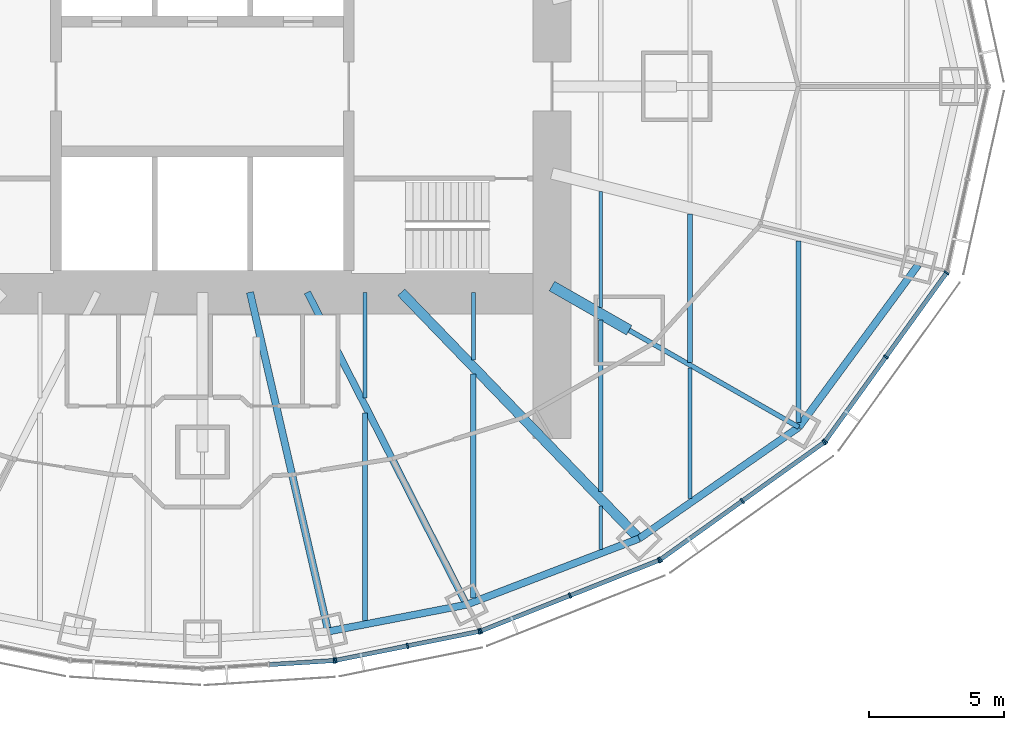
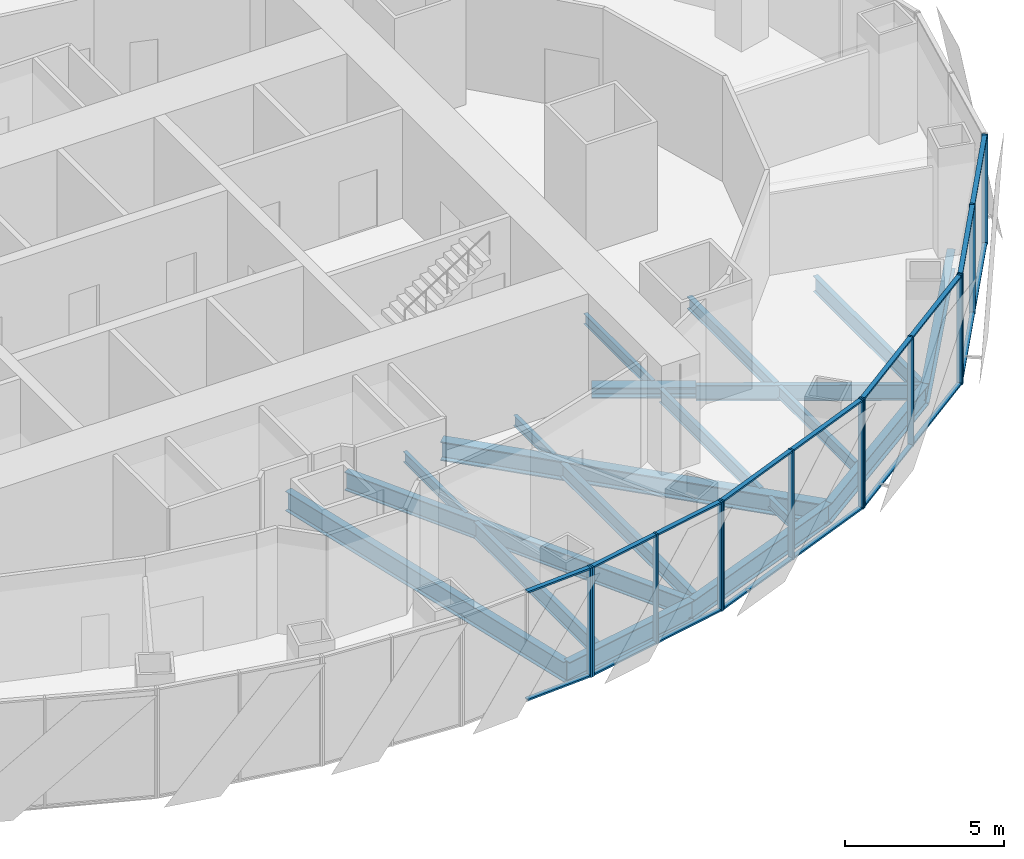
# One storey, part 5 of 18: 31 members, 19 beams, 5 elements without a shape of their own.
"""IFC4 building model written with IfcOpenShell, lengths in metres."""

from ifc_helpers import new_model, si_unit, direction, frame, origin, origin_2d, place, context, subcontext, project, spatial, rectangle, i_section, extrude, material, material_profile, profile_set, type_object, element, aggregate, save


model = new_model("IFC4")

# Units and contexts
model_context = context("Model", 3, precision=1e-05, world=origin(), true_north=direction((0.0, 1.0)))
body_context = subcontext(model_context, "Body", "Model", "MODEL_VIEW")
ifc_project = project(units=[si_unit("LENGTHUNIT", "METRE"), si_unit("AREAUNIT", "SQUARE_METRE"), si_unit("VOLUMEUNIT", "CUBIC_METRE"), si_unit("PLANEANGLEUNIT", "RADIAN"), si_unit("MASSUNIT", "GRAM", prefix="KILO")], contexts=[model_context])

# Site, building, storey
site_placement = place(None, origin())
site = spatial("IfcSite", under=ifc_project, at=site_placement, CompositionType="ELEMENT")
building_placement = place(site_placement, origin())
building = spatial("IfcBuilding", under=site, at=building_placement, Name="Lantaw Convention Tower", CompositionType="ELEMENT")
storey_placement = place(building_placement, frame((0.0, 0.0, 176.199951171875)))
storey = spatial("IfcBuildingStorey", under=building, at=storey_placement, Name="L41", CompositionType="ELEMENT", Elevation=176.199951171875)

# Beams
ifc_material_1 = material(Name="Steel ASTM A992", Category="steel")
ifc_material_profile_1 = material_profile(ifc_material_1, i_section(OverallWidth=0.2666015625, OverallDepth=0.76953125, WebThickness=0.015625, FlangeThickness=0.025390625, FilletRadius=0.0126953125, at=origin_2d()), Name="W30X132")
ifc_profile_set_1 = profile_set([ifc_material_profile_1], Name="Steel ASTM A992")
beam_type_1 = type_object("IfcBeamType", Name="Beam E W30X132", PredefinedType="SPANDREL", material=ifc_profile_set_1)
beam_1_placement = place(storey_placement, frame((4.64501953125, -20.1201171875, -0.53466796875), z_axis=(0.981796805654, 0.189934284446, 0.0), x_axis=(-0.189934284446, 0.981796805654, 0.0)))
element("IfcBeam", 1, at=beam_1_placement, inside=storey, type_object=beam_type_1, Name="Edge beam 20", PredefinedType="SPANDREL", context=body_context, shape_type="SweptSolid", body=[
    extrude(i_section(OverallWidth=0.2666015625, OverallDepth=0.76953125, WebThickness=0.015625, FlangeThickness=0.025390625, FilletRadius=0.0126953125, at=origin_2d()), origin(), (0.0, 0.0, 1.0), 5.1982421875),
])
beam_2_placement = place(storey_placement, frame((9.74853515625, -19.1328125, -0.53466796875), z_axis=(0.933691081977, 0.358079549033, 0.0), x_axis=(-0.358079549033, 0.933691081977, 0.0)))
element("IfcBeam", 2, at=beam_2_placement, inside=storey, type_object=beam_type_1, Name="Edge beam 21", PredefinedType="SPANDREL", context=body_context, shape_type="SweptSolid", body=[
    extrude(i_section(OverallWidth=0.2666015625, OverallDepth=0.76953125, WebThickness=0.015625, FlangeThickness=0.025390625, FilletRadius=0.0126953125, at=origin_2d()), origin(), (0.0, 0.0, 1.0), 6.821533203125),
])
beam_3_placement = place(storey_placement, frame((16.11767578125, -16.690185546875, -0.53466796875), z_axis=(0.820310765287, 0.57191804339, 0.0), x_axis=(-0.57191804339, 0.820310765287, 0.0)))
element("IfcBeam", 3, at=beam_3_placement, inside=storey, type_object=beam_type_1, Name="Edge beam 22", PredefinedType="SPANDREL", context=body_context, shape_type="SweptSolid", body=[
    extrude(i_section(OverallWidth=0.2666015625, OverallDepth=0.76953125, WebThickness=0.015625, FlangeThickness=0.025390625, FilletRadius=0.0126953125, at=origin_2d()), origin(), (0.0, 0.0, 1.0), 7.187744140625),
])
beam_4_placement = place(storey_placement, frame((22.013916015625, -12.579345703125, -0.53466796875), z_axis=(0.5923891972, 0.805651934176, 0.0), x_axis=(-0.805651934176, 0.5923891972, 0.0)))
element("IfcBeam", 4, at=beam_4_placement, inside=storey, type_object=beam_type_1, Name="Edge beam 23", PredefinedType="SPANDREL", context=body_context, shape_type="SweptSolid", body=[
    extrude(i_section(OverallWidth=0.2666015625, OverallDepth=0.76953125, WebThickness=0.015625, FlangeThickness=0.025390625, FilletRadius=0.0126953125, at=origin_2d()), origin(), (0.0, 0.0, 1.0), 7.437744140625),
])
ifc_material_profile_2 = material_profile(ifc_material_1, i_section(OverallWidth=0.177978515625, OverallDepth=0.599365234375, WebThickness=0.010009765625, FlangeThickness=0.012939453125, FilletRadius=0.012939453125, at=origin_2d()), Name="W24X55")
ifc_profile_set_2 = profile_set([ifc_material_profile_2], Name="Steel ASTM A992")
beam_type_2 = type_object("IfcBeamType", Name="Beam G W24X55", PredefinedType="BEAM", material=ifc_profile_set_2)
beam_5_placement = place(storey_placement, frame((15.75, -9.0, -0.44970703125), z_axis=(0.868245224608, -0.496135293993, 0.0), x_axis=(0.496135293993, 0.868245224608, 0.0)))
element("IfcBeam", 5, at=beam_5_placement, inside=storey, type_object=beam_type_2, Name="Floor girder on ray 23", PredefinedType="BEAM", context=body_context, shape_type="SweptSolid", body=[
    extrude(i_section(OverallWidth=0.177978515625, OverallDepth=0.599365234375, WebThickness=0.010009765625, FlangeThickness=0.012939453125, FilletRadius=0.012939453125, at=origin_2d()), origin(), (0.0, 0.0, 1.0), 7.21435546875),
])
ifc_material_profile_3 = material_profile(ifc_material_1, i_section(OverallWidth=0.25390625, OverallDepth=0.700927734375, WebThickness=0.015380859375, FlangeThickness=0.02783203125, FilletRadius=0.01513671875, at=origin_2d()), Name="W27X129")
ifc_profile_set_3 = profile_set([ifc_material_profile_3], Name="Steel ASTM A992")
beam_type_3 = type_object("IfcBeamType", Name="Beam G W27X129", PredefinedType="BEAM", material=ifc_profile_set_3)
beam_6_placement = place(storey_placement, frame((3.872314453125, -7.60009765625, -0.50048828125), z_axis=(0.453991051051, -0.891006243281, 0.0), x_axis=(0.891006243281, 0.453991051051, 0.0)))
element("IfcBeam", 6, at=beam_6_placement, inside=storey, type_object=beam_type_3, Name="Floor girder on ray 21", PredefinedType="BEAM", context=body_context, shape_type="SweptSolid", body=[
    extrude(i_section(OverallWidth=0.25390625, OverallDepth=0.700927734375, WebThickness=0.015380859375, FlangeThickness=0.02783203125, FilletRadius=0.01513671875, at=origin_2d()), origin(), (0.0, 0.0, 1.0), 12.943359375),
])
ifc_material_profile_4 = material_profile(ifc_material_1, i_section(OverallWidth=0.360595703125, OverallDepth=0.72900390625, WebThickness=0.023193359375, FlangeThickness=0.041015625, FilletRadius=0.0126953125, at=origin_2d()), Name="W27X235")
ifc_profile_set_4 = profile_set([ifc_material_profile_4], Name="Steel ASTM A992")
beam_type_4 = type_object("IfcBeamType", Name="Beam G W27X235", PredefinedType="BEAM", material=ifc_profile_set_4)
beam_7_placement = place(storey_placement, frame((7.33935546875, -7.60009765625, -0.514404296875), z_axis=(0.694663467407, -0.719334878239, 0.0), x_axis=(0.719334878239, 0.694663467407, 0.0)))
element("IfcBeam", 7, at=beam_7_placement, inside=storey, type_object=beam_type_4, Name="Floor girder on ray 22", PredefinedType="BEAM", context=body_context, shape_type="SweptSolid", body=[
    extrude(i_section(OverallWidth=0.360595703125, OverallDepth=0.72900390625, WebThickness=0.023193359375, FlangeThickness=0.041015625, FilletRadius=0.0126953125, at=origin_2d()), origin(), (0.0, 0.0, 1.0), 12.63671875),
])
ifc_material_profile_5 = material_profile(ifc_material_1, i_section(OverallWidth=0.2666015625, OverallDepth=0.7568359375, WebThickness=0.013916015625, FlangeThickness=0.019287109375, FilletRadius=0.0126953125, at=origin_2d()), Name="W30X108")
ifc_profile_set_5 = profile_set([ifc_material_profile_5], Name="Steel ASTM A992")
beam_type_5 = type_object("IfcBeamType", Name="Beam G W30X108", PredefinedType="BEAM", material=ifc_profile_set_5)
beam_8_placement = place(storey_placement, frame((1.754638671875, -7.60009765625, -0.5283203125), z_axis=(0.224944153104, -0.974371658036, 0.0), x_axis=(0.974371658036, 0.224944153104, 0.0)))
element("IfcBeam", 8, at=beam_8_placement, inside=storey, type_object=beam_type_5, Name="Floor girder on ray 20", PredefinedType="BEAM", context=body_context, shape_type="SweptSolid", body=[
    extrude(i_section(OverallWidth=0.2666015625, OverallDepth=0.7568359375, WebThickness=0.013916015625, FlangeThickness=0.019287109375, FilletRadius=0.0126953125, at=origin_2d()), origin(), (0.0, 0.0, 1.0), 12.849365234375),
])
ifc_material_profile_6 = material_profile(ifc_material_1, i_section(OverallWidth=0.40380859375, OverallDepth=0.406494140625, WebThickness=0.027099609375, FlangeThickness=0.043701171875, FilletRadius=0.01513671875, at=origin_2d()), Name="W14X233")
ifc_profile_set_6 = profile_set([ifc_material_profile_6], Name="Steel ASTM A992")
beam_type_6 = type_object("IfcBeamType", Name="Beam GM W14X233", PredefinedType="BEAM", material=ifc_profile_set_6)
beam_9_placement = place(storey_placement, frame((12.89990234375, -7.371337890625, -0.353271484375), z_axis=(0.868238565244, -0.496146947811, 0.0), x_axis=(0.496146947811, 0.868238565244, 0.0)))
element("IfcBeam", 9, at=beam_9_placement, inside=storey, type_object=beam_type_6, Name="Core link beam on ray 23", PredefinedType="BEAM", context=body_context, shape_type="SweptSolid", body=[
    extrude(i_section(OverallWidth=0.40380859375, OverallDepth=0.406494140625, WebThickness=0.027099609375, FlangeThickness=0.043701171875, FilletRadius=0.01513671875, at=origin_2d()), origin(), (0.0, 0.0, 1.0), 3.28271484375),
])
ifc_material_profile_7 = material_profile(ifc_material_1, i_section(OverallWidth=0.140380859375, OverallDepth=0.40380859375, WebThickness=0.007080078125, FlangeThickness=0.01123046875, FilletRadius=0.01025390625, at=origin_2d()), Name="W16X31")
ifc_profile_set_7 = profile_set([ifc_material_profile_7], Name="Steel ASTM A992")
beam_type_7 = type_object("IfcBeamType", Name="Beam J W16X31", PredefinedType="JOIST", material=ifc_profile_set_7)
beam_10_placement = place(storey_placement, frame((6.0, -11.495849609375, -0.351806640625), z_axis=(0.0, 1.0, 0.0), x_axis=(-1.0, 0.0, 0.0)))
element("IfcBeam", 10, at=beam_10_placement, inside=storey, type_object=beam_type_7, Name="Floor joist", PredefinedType="JOIST", context=body_context, shape_type="SweptSolid", body=[
    extrude(i_section(OverallWidth=0.140380859375, OverallDepth=0.40380859375, WebThickness=0.007080078125, FlangeThickness=0.01123046875, FilletRadius=0.01025390625, at=origin_2d()), origin(), (0.0, 0.0, 1.0), 3.895751953125),
])
beam_11_placement = place(storey_placement, frame((10.0, -10.095703125, -0.351806640625), z_axis=(0.0, 1.0, 0.0), x_axis=(-1.0, 0.0, 0.0)))
element("IfcBeam", 11, at=beam_11_placement, inside=storey, type_object=beam_type_7, Name="Floor joist", PredefinedType="JOIST", context=body_context, shape_type="SweptSolid", body=[
    extrude(i_section(OverallWidth=0.140380859375, OverallDepth=0.40380859375, WebThickness=0.007080078125, FlangeThickness=0.01123046875, FilletRadius=0.01025390625, at=origin_2d()), origin(), (0.0, 0.0, 1.0), 2.49560546875),
])
beam_12_placement = place(storey_placement, frame((14.699951171875, -17.091064453125, -0.351806640625), z_axis=(0.0, 1.0, 0.0), x_axis=(-1.0, 0.0, 0.0)))
element("IfcBeam", 12, at=beam_12_placement, inside=storey, type_object=beam_type_7, Name="Floor joist", PredefinedType="JOIST", context=body_context, shape_type="SweptSolid", body=[
    extrude(i_section(OverallWidth=0.140380859375, OverallDepth=0.40380859375, WebThickness=0.007080078125, FlangeThickness=0.01123046875, FilletRadius=0.01025390625, at=origin_2d()), origin(), (0.0, 0.0, 1.0), 1.609130859375),
])
beam_13_placement = place(storey_placement, frame((14.699951171875, -8.16748046875, -0.351806640625), z_axis=(0.0, 1.0, 0.0), x_axis=(-1.0, 0.0, 0.0)))
element("IfcBeam", 13, at=beam_13_placement, inside=storey, type_object=beam_type_7, Name="Floor joist", PredefinedType="JOIST", context=body_context, shape_type="SweptSolid", body=[
    extrude(i_section(OverallWidth=0.140380859375, OverallDepth=0.40380859375, WebThickness=0.007080078125, FlangeThickness=0.01123046875, FilletRadius=0.01025390625, at=origin_2d()), origin(), (0.0, 0.0, 1.0), 4.28515625),
])
ifc_material_profile_8 = material_profile(ifc_material_1, i_section(OverallWidth=0.15234375, OverallDepth=0.449462890625, WebThickness=0.007568359375, FlangeThickness=0.0107421875, FilletRadius=0.01025390625, at=origin_2d()), Name="W18X35")
ifc_profile_set_8 = profile_set([ifc_material_profile_8], Name="Steel ASTM A992")
beam_type_8 = type_object("IfcBeamType", Name="Beam J W18X35", PredefinedType="JOIST", material=ifc_profile_set_8)
beam_14_placement = place(storey_placement, frame((18.0, -15.21533203125, -0.374755859375), z_axis=(0.0, 1.0, 0.0), x_axis=(-1.0, 0.0, 0.0)))
element("IfcBeam", 14, at=beam_14_placement, inside=storey, type_object=beam_type_8, Name="Floor joist", PredefinedType="JOIST", context=body_context, shape_type="SweptSolid", body=[
    extrude(i_section(OverallWidth=0.15234375, OverallDepth=0.449462890625, WebThickness=0.007568359375, FlangeThickness=0.0107421875, FilletRadius=0.01025390625, at=origin_2d()), origin(), (0.0, 0.0, 1.0), 4.8271484375),
])
ifc_material_profile_9 = material_profile(ifc_material_1, i_section(OverallWidth=0.1904296875, OverallDepth=0.457275390625, WebThickness=0.009033203125, FlangeThickness=0.014404296875, FilletRadius=0.01025390625, at=origin_2d()), Name="W18X50")
ifc_profile_set_9 = profile_set([ifc_material_profile_9], Name="Steel ASTM A992")
beam_type_9 = type_object("IfcBeamType", Name="Beam J W18X50", PredefinedType="JOIST", material=ifc_profile_set_9)
beam_15_placement = place(storey_placement, frame((18.0, -10.18310546875, -0.378662109375), z_axis=(0.0, 1.0, 0.0), x_axis=(-1.0, 0.0, 0.0)))
element("IfcBeam", 15, at=beam_15_placement, inside=storey, type_object=beam_type_9, Name="Floor joist", PredefinedType="JOIST", context=body_context, shape_type="SweptSolid", body=[
    extrude(i_section(OverallWidth=0.1904296875, OverallDepth=0.457275390625, WebThickness=0.009033203125, FlangeThickness=0.014404296875, FilletRadius=0.01025390625, at=origin_2d()), origin(), (0.0, 0.0, 1.0), 5.47802734375),
])
ifc_material_profile_10 = material_profile(ifc_material_1, i_section(OverallWidth=0.1650390625, OverallDepth=0.52587890625, WebThickness=0.0087890625, FlangeThickness=0.011474609375, FilletRadius=0.0126953125, at=origin_2d()), Name="W21X44")
ifc_profile_set_10 = profile_set([ifc_material_profile_10], Name="Steel ASTM A992")
beam_type_10 = type_object("IfcBeamType", Name="Beam J W21X44", PredefinedType="JOIST", material=ifc_profile_set_10)
beam_16_placement = place(storey_placement, frame((14.699951171875, -14.962646484375, -0.412841796875), z_axis=(0.0, 1.0, 0.0), x_axis=(-1.0, 0.0, 0.0)))
element("IfcBeam", 16, at=beam_16_placement, inside=storey, type_object=beam_type_10, Name="Floor joist", PredefinedType="JOIST", context=body_context, shape_type="SweptSolid", body=[
    extrude(i_section(OverallWidth=0.1650390625, OverallDepth=0.52587890625, WebThickness=0.0087890625, FlangeThickness=0.011474609375, FilletRadius=0.0126953125, at=origin_2d()), origin(), (0.0, 0.0, 1.0), 6.330078125),
])
ifc_material_profile_11 = material_profile(ifc_material_1, i_section(OverallWidth=0.2099609375, OverallDepth=0.535888671875, WebThickness=0.010986328125, FlangeThickness=0.017333984375, FilletRadius=0.012939453125, at=origin_2d()), Name="W21X68")
ifc_profile_set_11 = profile_set([ifc_material_profile_11], Name="Steel ASTM A992")
beam_type_11 = type_object("IfcBeamType", Name="Beam J W21X68", PredefinedType="JOIST", material=ifc_profile_set_11)
beam_17_placement = place(storey_placement, frame((10.0, -18.8935546875, -0.41796875), z_axis=(0.0, 1.0, 0.0), x_axis=(-1.0, 0.0, 0.0)))
element("IfcBeam", 17, at=beam_17_placement, inside=storey, type_object=beam_type_11, Name="Floor joist", PredefinedType="JOIST", context=body_context, shape_type="SweptSolid", body=[
    extrude(i_section(OverallWidth=0.2099609375, OverallDepth=0.535888671875, WebThickness=0.010986328125, FlangeThickness=0.017333984375, FilletRadius=0.012939453125, at=origin_2d()), origin(), (0.0, 0.0, 1.0), 8.278564453125),
])
ifc_material_profile_12 = material_profile(ifc_material_1, i_section(OverallWidth=0.177978515625, OverallDepth=0.599365234375, WebThickness=0.010009765625, FlangeThickness=0.012939453125, FilletRadius=0.012939453125, at=origin_2d()), Name="W24X55")
ifc_profile_set_12 = profile_set([ifc_material_profile_12], Name="Steel ASTM A992")
beam_type_12 = type_object("IfcBeamType", Name="Beam J W24X55", PredefinedType="JOIST", material=ifc_profile_set_12)
beam_18_placement = place(storey_placement, frame((6.0, -19.72216796875, -0.44970703125), z_axis=(0.0, 1.0, 0.0), x_axis=(-1.0, 0.0, 0.0)))
element("IfcBeam", 18, at=beam_18_placement, inside=storey, type_object=beam_type_12, Name="Floor joist", PredefinedType="JOIST", context=body_context, shape_type="SweptSolid", body=[
    extrude(i_section(OverallWidth=0.177978515625, OverallDepth=0.599365234375, WebThickness=0.010009765625, FlangeThickness=0.012939453125, FilletRadius=0.012939453125, at=origin_2d()), origin(), (0.0, 0.0, 1.0), 7.666748046875),
])
beam_19_placement = place(storey_placement, frame((22.0, -12.408935546875, -0.44970703125), z_axis=(0.0, 1.0, 0.0), x_axis=(-1.0, 0.0, 0.0)))
element("IfcBeam", 19, at=beam_19_placement, inside=storey, type_object=beam_type_12, Name="Floor joist", PredefinedType="JOIST", context=body_context, shape_type="SweptSolid", body=[
    extrude(i_section(OverallWidth=0.177978515625, OverallDepth=0.599365234375, WebThickness=0.010009765625, FlangeThickness=0.012939453125, FilletRadius=0.012939453125, at=origin_2d()), origin(), (0.0, 0.0, 1.0), 6.70654296875),
])

# Curtain wall, member
ifc_material_2 = material(Name="Aluminium framed curtain wall", Category="aluminium")
curtain_wall_type = type_object("IfcCurtainWallType", Name="Office curtain wall low rise, pale aluminium", PredefinedType="USERDEFINED", material=ifc_material_2)
curtain_wall_1_placement = place(storey_placement, origin())
curtain_wall_1 = element("IfcCurtainWall", 20, at=curtain_wall_1_placement, inside=storey, type_object=curtain_wall_type, Name="Office curtain wall low rise, pale aluminium L41", ObjectType="UNITISED CURTAIN WALL", PredefinedType="USERDEFINED")
ifc_material_3 = material(Name="Aluminium 6063-T6", Category="aluminium")
ifc_material_profile_13 = material_profile(ifc_material_3, rectangle(XDim=0.199951171875, YDim=0.06494140625, at=origin_2d()), Name="CW-O1 mullion 65x200")
ifc_profile_set_13 = profile_set([ifc_material_profile_13], Name="Aluminium 6063-T6")
member_type_1 = type_object("IfcMemberType", Name="CW-O1 mullion 65x200", PredefinedType="MULLION", material=ifc_profile_set_13)
member_1_placement = place(storey_placement, frame((4.860107421875, -21.19384765625, -0.14990234375), z_axis=(0.0, 0.0, 1.0), x_axis=(-0.062865059466, 0.998022035978, 0.0)))
member_1 = element("IfcMember", 21, at=member_1_placement, type_object=member_type_1, Name="CW-O1 mullion 3", PredefinedType="MULLION", context=body_context, shape_type="SweptSolid", body=[
    extrude(rectangle(XDim=0.199951171875, YDim=0.06494140625, at=origin_2d()), origin(), (0.0, 0.0, 1.0), 4.199951171875),
])

# Curtain wall, members
curtain_wall_2_placement = place(storey_placement, origin())
curtain_wall_2 = element("IfcCurtainWall", 22, at=curtain_wall_2_placement, inside=storey, type_object=curtain_wall_type, Name="Office curtain wall low rise, pale aluminium L41", ObjectType="UNITISED CURTAIN WALL", PredefinedType="USERDEFINED")
member_2_placement = place(storey_placement, frame((4.92431640625, -21.185302734375, -0.14990234375), z_axis=(0.0, 0.0, 1.0), x_axis=(-0.197506809659, 0.980301514912, 0.0)))
member_2 = element("IfcMember", 23, at=member_2_placement, type_object=member_type_1, Name="CW-O1 mullion 1", PredefinedType="MULLION", context=body_context, shape_type="SweptSolid", body=[
    extrude(rectangle(XDim=0.199951171875, YDim=0.06494140625, at=origin_2d()), origin(), (0.0, 0.0, 1.0), 4.199951171875),
])
member_3_placement = place(storey_placement, frame((7.5703125, -20.65234375, -0.14990234375), z_axis=(0.0, 0.0, 1.0), x_axis=(-0.197506809659, 0.980301514912, 0.0)))
member_3 = element("IfcMember", 24, at=member_3_placement, type_object=member_type_1, Name="CW-O1 mullion 2", PredefinedType="MULLION", context=body_context, shape_type="SweptSolid", body=[
    extrude(rectangle(XDim=0.199951171875, YDim=0.06494140625, at=origin_2d()), origin(), (0.0, 0.0, 1.0), 4.199951171875),
])
member_4_placement = place(storey_placement, frame((10.216064453125, -20.119140625, -0.14990234375), z_axis=(0.0, 0.0, 1.0), x_axis=(-0.197506809659, 0.980301514912, 0.0)))
member_4 = element("IfcMember", 25, at=member_4_placement, type_object=member_type_1, Name="CW-O1 mullion 3", PredefinedType="MULLION", context=body_context, shape_type="SweptSolid", body=[
    extrude(rectangle(XDim=0.199951171875, YDim=0.06494140625, at=origin_2d()), origin(), (0.0, 0.0, 1.0), 4.199951171875),
])

curtain_wall_3_placement = place(storey_placement, origin())
curtain_wall_3 = element("IfcCurtainWall", 26, at=curtain_wall_3_placement, inside=storey, type_object=curtain_wall_type, Name="Office curtain wall low rise, pale aluminium L41", ObjectType="UNITISED CURTAIN WALL", PredefinedType="USERDEFINED")
member_5_placement = place(storey_placement, frame((10.2783203125, -20.100830078125, -0.14990234375), z_axis=(0.0, 0.0, 1.0), x_axis=(-0.368701907483, 0.929547687544, 0.0)))
member_5 = element("IfcMember", 27, at=member_5_placement, type_object=member_type_1, Name="CW-O1 mullion 1", PredefinedType="MULLION", context=body_context, shape_type="SweptSolid", body=[
    extrude(rectangle(XDim=0.199951171875, YDim=0.06494140625, at=origin_2d()), origin(), (0.0, 0.0, 1.0), 4.199951171875),
])
member_6_placement = place(storey_placement, frame((13.56494140625, -18.797119140625, -0.14990234375), z_axis=(0.0, 0.0, 1.0), x_axis=(-0.368701907483, 0.929547687544, 0.0)))
member_6 = element("IfcMember", 28, at=member_6_placement, type_object=member_type_1, Name="CW-O1 mullion 2", PredefinedType="MULLION", context=body_context, shape_type="SweptSolid", body=[
    extrude(rectangle(XDim=0.199951171875, YDim=0.06494140625, at=origin_2d()), origin(), (0.0, 0.0, 1.0), 4.199951171875),
])
member_7_placement = place(storey_placement, frame((16.8515625, -17.49365234375, -0.14990234375), z_axis=(0.0, 0.0, 1.0), x_axis=(-0.368701907483, 0.929547687544, 0.0)))
member_7 = element("IfcMember", 29, at=member_7_placement, type_object=member_type_1, Name="CW-O1 mullion 3", PredefinedType="MULLION", context=body_context, shape_type="SweptSolid", body=[
    extrude(rectangle(XDim=0.199951171875, YDim=0.06494140625, at=origin_2d()), origin(), (0.0, 0.0, 1.0), 4.199951171875),
])

curtain_wall_4_placement = place(storey_placement, origin())
curtain_wall_4 = element("IfcCurtainWall", 30, at=curtain_wall_4_placement, inside=storey, type_object=curtain_wall_type, Name="Office curtain wall low rise, pale aluminium L41", ObjectType="UNITISED CURTAIN WALL", PredefinedType="USERDEFINED")
member_8_placement = place(storey_placement, frame((16.908203125, -17.462646484375, -0.14990234375), z_axis=(0.0, 0.0, 1.0), x_axis=(-0.581972695693, 0.813208325995, 0.0)))
member_8 = element("IfcMember", 31, at=member_8_placement, type_object=member_type_1, Name="CW-O1 mullion 1", PredefinedType="MULLION", context=body_context, shape_type="SweptSolid", body=[
    extrude(rectangle(XDim=0.199951171875, YDim=0.06494140625, at=origin_2d()), origin(), (0.0, 0.0, 1.0), 4.199951171875),
])
member_9_placement = place(storey_placement, frame((19.92529296875, -15.303466796875, -0.14990234375), z_axis=(0.0, 0.0, 1.0), x_axis=(-0.581972695693, 0.813208325995, 0.0)))
member_9 = element("IfcMember", 32, at=member_9_placement, type_object=member_type_1, Name="CW-O1 mullion 2", PredefinedType="MULLION", context=body_context, shape_type="SweptSolid", body=[
    extrude(rectangle(XDim=0.199951171875, YDim=0.06494140625, at=origin_2d()), origin(), (0.0, 0.0, 1.0), 4.199951171875),
])
member_10_placement = place(storey_placement, frame((22.942626953125, -13.14404296875, -0.14990234375), z_axis=(0.0, 0.0, 1.0), x_axis=(-0.581972695693, 0.813208325995, 0.0)))
member_10 = element("IfcMember", 33, at=member_10_placement, type_object=member_type_1, Name="CW-O1 mullion 3", PredefinedType="MULLION", context=body_context, shape_type="SweptSolid", body=[
    extrude(rectangle(XDim=0.199951171875, YDim=0.06494140625, at=origin_2d()), origin(), (0.0, 0.0, 1.0), 4.199951171875),
])

curtain_wall_5_placement = place(storey_placement, origin())
curtain_wall_5 = element("IfcCurtainWall", 34, at=curtain_wall_5_placement, inside=storey, type_object=curtain_wall_type, Name="Office curtain wall low rise, pale aluminium L41", ObjectType="UNITISED CURTAIN WALL", PredefinedType="USERDEFINED")
member_11_placement = place(storey_placement, frame((22.988037109375, -13.098876953125, -0.14990234375), z_axis=(0.0, 0.0, 1.0), x_axis=(-0.811384633629, 0.584512597221, 0.0)))
member_11 = element("IfcMember", 35, at=member_11_placement, type_object=member_type_1, Name="CW-O1 mullion 1", PredefinedType="MULLION", context=body_context, shape_type="SweptSolid", body=[
    extrude(rectangle(XDim=0.199951171875, YDim=0.06494140625, at=origin_2d()), origin(), (0.0, 0.0, 1.0), 4.199951171875),
])
member_12_placement = place(storey_placement, frame((25.22802734375, -9.9892578125, -0.14990234375), z_axis=(0.0, 0.0, 1.0), x_axis=(-0.811384633629, 0.584512597221, 0.0)))
member_12 = element("IfcMember", 36, at=member_12_placement, type_object=member_type_1, Name="CW-O1 mullion 2", PredefinedType="MULLION", context=body_context, shape_type="SweptSolid", body=[
    extrude(rectangle(XDim=0.199951171875, YDim=0.06494140625, at=origin_2d()), origin(), (0.0, 0.0, 1.0), 4.199951171875),
])
member_13_placement = place(storey_placement, frame((27.46826171875, -6.879638671875, -0.14990234375), z_axis=(0.0, 0.0, 1.0), x_axis=(-0.811384633629, 0.584512597221, 0.0)))
member_13 = element("IfcMember", 37, at=member_13_placement, type_object=member_type_1, Name="CW-O1 mullion 3", PredefinedType="MULLION", context=body_context, shape_type="SweptSolid", body=[
    extrude(rectangle(XDim=0.199951171875, YDim=0.06494140625, at=origin_2d()), origin(), (0.0, 0.0, 1.0), 4.199951171875),
])

# Member
ifc_material_profile_14 = material_profile(ifc_material_3, rectangle(XDim=0.159912109375, YDim=0.06494140625, at=origin_2d()), Name="CW-O1 transom 65x160")
ifc_profile_set_14 = profile_set([ifc_material_profile_14], Name="Aluminium 6063-T6")
member_type_2 = type_object("IfcMemberType", Name="CW-O1 transom 65x160", PredefinedType="USERDEFINED", material=ifc_profile_set_14)
member_14_placement = place(storey_placement, frame((2.478759765625, -21.34375, -0.117431640625), z_axis=(0.998022188463, 0.062862638625, 0.0), x_axis=(-0.062862638625, 0.998022188463, 0.0)))
member_14 = element("IfcMember", 38, at=member_14_placement, type_object=member_type_2, Name="CW-O1 transom 2.1", ObjectType="TRANSOM", PredefinedType="USERDEFINED", context=body_context, shape_type="SweptSolid", body=[
    extrude(rectangle(XDim=0.159912109375, YDim=0.06494140625, at=origin_2d()), origin(), (0.0, 0.0, 1.0), 2.353515625),
])

member_15_placement = place(storey_placement, frame((2.478759765625, -21.34375, 4.017578125), z_axis=(0.998022188463, 0.062862638625, 0.0), x_axis=(-0.062862638625, 0.998022188463, 0.0)))
member_15 = element("IfcMember", 39, at=member_15_placement, type_object=member_type_2, Name="CW-O1 transom 2.2", ObjectType="TRANSOM", PredefinedType="USERDEFINED", context=body_context, shape_type="SweptSolid", body=[
    extrude(rectangle(XDim=0.159912109375, YDim=0.06494140625, at=origin_2d()), origin(), (0.0, 0.0, 1.0), 2.353515625),
])

aggregate(curtain_wall_1, [member_1, member_14, member_15])

member_16_placement = place(storey_placement, frame((4.956298828125, -21.178955078125, -0.117431640625), z_axis=(0.980298027092, 0.197524120247, 0.0), x_axis=(-0.197524120247, 0.980298027092, 0.0)))
member_16 = element("IfcMember", 40, at=member_16_placement, type_object=member_type_2, Name="CW-O1 transom 1.1", ObjectType="TRANSOM", PredefinedType="USERDEFINED", context=body_context, shape_type="SweptSolid", body=[
    extrude(rectangle(XDim=0.159912109375, YDim=0.06494140625, at=origin_2d()), origin(), (0.0, 0.0, 1.0), 2.634033203125),
])

member_17_placement = place(storey_placement, frame((4.956298828125, -21.178955078125, 4.017578125), z_axis=(0.980298027092, 0.197524120247, 0.0), x_axis=(-0.197524120247, 0.980298027092, 0.0)))
member_17 = element("IfcMember", 41, at=member_17_placement, type_object=member_type_2, Name="CW-O1 transom 1.2", ObjectType="TRANSOM", PredefinedType="USERDEFINED", context=body_context, shape_type="SweptSolid", body=[
    extrude(rectangle(XDim=0.159912109375, YDim=0.06494140625, at=origin_2d()), origin(), (0.0, 0.0, 1.0), 2.634033203125),
])

member_18_placement = place(storey_placement, frame((7.60205078125, -20.64599609375, -0.117431640625), z_axis=(0.980301643003, 0.197506173891, 0.0), x_axis=(-0.197506173891, 0.980301643003, 0.0)))
member_18 = element("IfcMember", 42, at=member_18_placement, type_object=member_type_2, Name="CW-O1 transom 2.1", ObjectType="TRANSOM", PredefinedType="USERDEFINED", context=body_context, shape_type="SweptSolid", body=[
    extrude(rectangle(XDim=0.159912109375, YDim=0.06494140625, at=origin_2d()), origin(), (0.0, 0.0, 1.0), 2.63427734375),
])

member_19_placement = place(storey_placement, frame((7.60205078125, -20.64599609375, 4.017578125), z_axis=(0.980301643003, 0.197506173891, 0.0), x_axis=(-0.197506173891, 0.980301643003, 0.0)))
member_19 = element("IfcMember", 43, at=member_19_placement, type_object=member_type_2, Name="CW-O1 transom 2.2", ObjectType="TRANSOM", PredefinedType="USERDEFINED", context=body_context, shape_type="SweptSolid", body=[
    extrude(rectangle(XDim=0.159912109375, YDim=0.06494140625, at=origin_2d()), origin(), (0.0, 0.0, 1.0), 2.63427734375),
])

aggregate(curtain_wall_2, [member_2, member_3, member_4, member_16, member_17, member_18, member_19])

member_20_placement = place(storey_placement, frame((10.308349609375, -20.0888671875, -0.117431640625), z_axis=(0.929540081544, 0.368721082668, 0.0), x_axis=(-0.368721082668, 0.929540081544, 0.0)))
member_20 = element("IfcMember", 44, at=member_20_placement, type_object=member_type_2, Name="CW-O1 transom 1.1", ObjectType="TRANSOM", PredefinedType="USERDEFINED", context=body_context, shape_type="SweptSolid", body=[
    extrude(rectangle(XDim=0.159912109375, YDim=0.06494140625, at=origin_2d()), origin(), (0.0, 0.0, 1.0), 3.470947265625),
])

member_21_placement = place(storey_placement, frame((10.308349609375, -20.0888671875, 4.017578125), z_axis=(0.929540081544, 0.368721082668, 0.0), x_axis=(-0.368721082668, 0.929540081544, 0.0)))
member_21 = element("IfcMember", 45, at=member_21_placement, type_object=member_type_2, Name="CW-O1 transom 1.2", ObjectType="TRANSOM", PredefinedType="USERDEFINED", context=body_context, shape_type="SweptSolid", body=[
    extrude(rectangle(XDim=0.159912109375, YDim=0.06494140625, at=origin_2d()), origin(), (0.0, 0.0, 1.0), 3.470947265625),
])

member_22_placement = place(storey_placement, frame((13.594970703125, -18.78515625, -0.117431640625), z_axis=(0.929564188507, 0.368660303592, 0.0), x_axis=(-0.368660303592, 0.929564188507, 0.0)))
member_22 = element("IfcMember", 46, at=member_22_placement, type_object=member_type_2, Name="CW-O1 transom 2.1", ObjectType="TRANSOM", PredefinedType="USERDEFINED", context=body_context, shape_type="SweptSolid", body=[
    extrude(rectangle(XDim=0.159912109375, YDim=0.06494140625, at=origin_2d()), origin(), (0.0, 0.0, 1.0), 3.470703125),
])

member_23_placement = place(storey_placement, frame((13.594970703125, -18.78515625, 4.017578125), z_axis=(0.929564188507, 0.368660303592, 0.0), x_axis=(-0.368660303592, 0.929564188507, 0.0)))
member_23 = element("IfcMember", 47, at=member_23_placement, type_object=member_type_2, Name="CW-O1 transom 2.2", ObjectType="TRANSOM", PredefinedType="USERDEFINED", context=body_context, shape_type="SweptSolid", body=[
    extrude(rectangle(XDim=0.159912109375, YDim=0.06494140625, at=origin_2d()), origin(), (0.0, 0.0, 1.0), 3.470703125),
])

aggregate(curtain_wall_3, [member_5, member_6, member_7, member_20, member_21, member_22, member_23])

member_24_placement = place(storey_placement, frame((16.9345703125, -17.44384765625, -0.117431640625), z_axis=(0.813190089133, 0.581998177777, 0.0), x_axis=(-0.581998177777, 0.813190089133, 0.0)))
member_24 = element("IfcMember", 48, at=member_24_placement, type_object=member_type_2, Name="CW-O1 transom 1.1", ObjectType="TRANSOM", PredefinedType="USERDEFINED", context=body_context, shape_type="SweptSolid", body=[
    extrude(rectangle(XDim=0.159912109375, YDim=0.06494140625, at=origin_2d()), origin(), (0.0, 0.0, 1.0), 3.645263671875),
])

member_25_placement = place(storey_placement, frame((16.9345703125, -17.44384765625, 4.017578125), z_axis=(0.813190089133, 0.581998177777, 0.0), x_axis=(-0.581998177777, 0.813190089133, 0.0)))
member_25 = element("IfcMember", 49, at=member_25_placement, type_object=member_type_2, Name="CW-O1 transom 1.2", ObjectType="TRANSOM", PredefinedType="USERDEFINED", context=body_context, shape_type="SweptSolid", body=[
    extrude(rectangle(XDim=0.159912109375, YDim=0.06494140625, at=origin_2d()), origin(), (0.0, 0.0, 1.0), 3.645263671875),
])

member_26_placement = place(storey_placement, frame((19.951904296875, -15.284423828125, -0.117431640625), z_axis=(0.813221785972, 0.581953887194, 0.0), x_axis=(-0.581953887194, 0.813221785972, 0.0)))
member_26 = element("IfcMember", 50, at=member_26_placement, type_object=member_type_2, Name="CW-O1 transom 2.1", ObjectType="TRANSOM", PredefinedType="USERDEFINED", context=body_context, shape_type="SweptSolid", body=[
    extrude(rectangle(XDim=0.159912109375, YDim=0.06494140625, at=origin_2d()), origin(), (0.0, 0.0, 1.0), 3.645263671875),
])

member_27_placement = place(storey_placement, frame((19.951904296875, -15.284423828125, 4.017578125), z_axis=(0.813221785972, 0.581953887194, 0.0), x_axis=(-0.581953887194, 0.813221785972, 0.0)))
member_27 = element("IfcMember", 51, at=member_27_placement, type_object=member_type_2, Name="CW-O1 transom 2.2", ObjectType="TRANSOM", PredefinedType="USERDEFINED", context=body_context, shape_type="SweptSolid", body=[
    extrude(rectangle(XDim=0.159912109375, YDim=0.06494140625, at=origin_2d()), origin(), (0.0, 0.0, 1.0), 3.645263671875),
])

aggregate(curtain_wall_4, [member_8, member_9, member_10, member_24, member_25, member_26, member_27])

member_28_placement = place(storey_placement, frame((23.007080078125, -13.072509765625, -0.117431640625), z_axis=(0.584512973979, 0.811384362217, 0.0), x_axis=(-0.811384362217, 0.584512973979, 0.0)))
member_28 = element("IfcMember", 52, at=member_28_placement, type_object=member_type_2, Name="CW-O1 transom 1.1", ObjectType="TRANSOM", PredefinedType="USERDEFINED", context=body_context, shape_type="SweptSolid", body=[
    extrude(rectangle(XDim=0.159912109375, YDim=0.06494140625, at=origin_2d()), origin(), (0.0, 0.0, 1.0), 3.767578125),
])

member_29_placement = place(storey_placement, frame((23.007080078125, -13.072509765625, 4.017578125), z_axis=(0.584512973979, 0.811384362217, 0.0), x_axis=(-0.811384362217, 0.584512973979, 0.0)))
member_29 = element("IfcMember", 53, at=member_29_placement, type_object=member_type_2, Name="CW-O1 transom 1.2", ObjectType="TRANSOM", PredefinedType="USERDEFINED", context=body_context, shape_type="SweptSolid", body=[
    extrude(rectangle(XDim=0.159912109375, YDim=0.06494140625, at=origin_2d()), origin(), (0.0, 0.0, 1.0), 3.767578125),
])

member_30_placement = place(storey_placement, frame((25.2470703125, -9.962890625, -0.117431640625), z_axis=(0.584512973979, 0.811384362217, 0.0), x_axis=(-0.811384362217, 0.584512973979, 0.0)))
member_30 = element("IfcMember", 54, at=member_30_placement, type_object=member_type_2, Name="CW-O1 transom 2.1", ObjectType="TRANSOM", PredefinedType="USERDEFINED", context=body_context, shape_type="SweptSolid", body=[
    extrude(rectangle(XDim=0.159912109375, YDim=0.06494140625, at=origin_2d()), origin(), (0.0, 0.0, 1.0), 3.767578125),
])

member_31_placement = place(storey_placement, frame((25.2470703125, -9.962890625, 4.017578125), z_axis=(0.584512973979, 0.811384362217, 0.0), x_axis=(-0.811384362217, 0.584512973979, 0.0)))
member_31 = element("IfcMember", 55, at=member_31_placement, type_object=member_type_2, Name="CW-O1 transom 2.2", ObjectType="TRANSOM", PredefinedType="USERDEFINED", context=body_context, shape_type="SweptSolid", body=[
    extrude(rectangle(XDim=0.159912109375, YDim=0.06494140625, at=origin_2d()), origin(), (0.0, 0.0, 1.0), 3.767578125),
])

aggregate(curtain_wall_5, [member_11, member_12, member_13, member_28, member_29, member_30, member_31])

save(model, "model.ifc")
